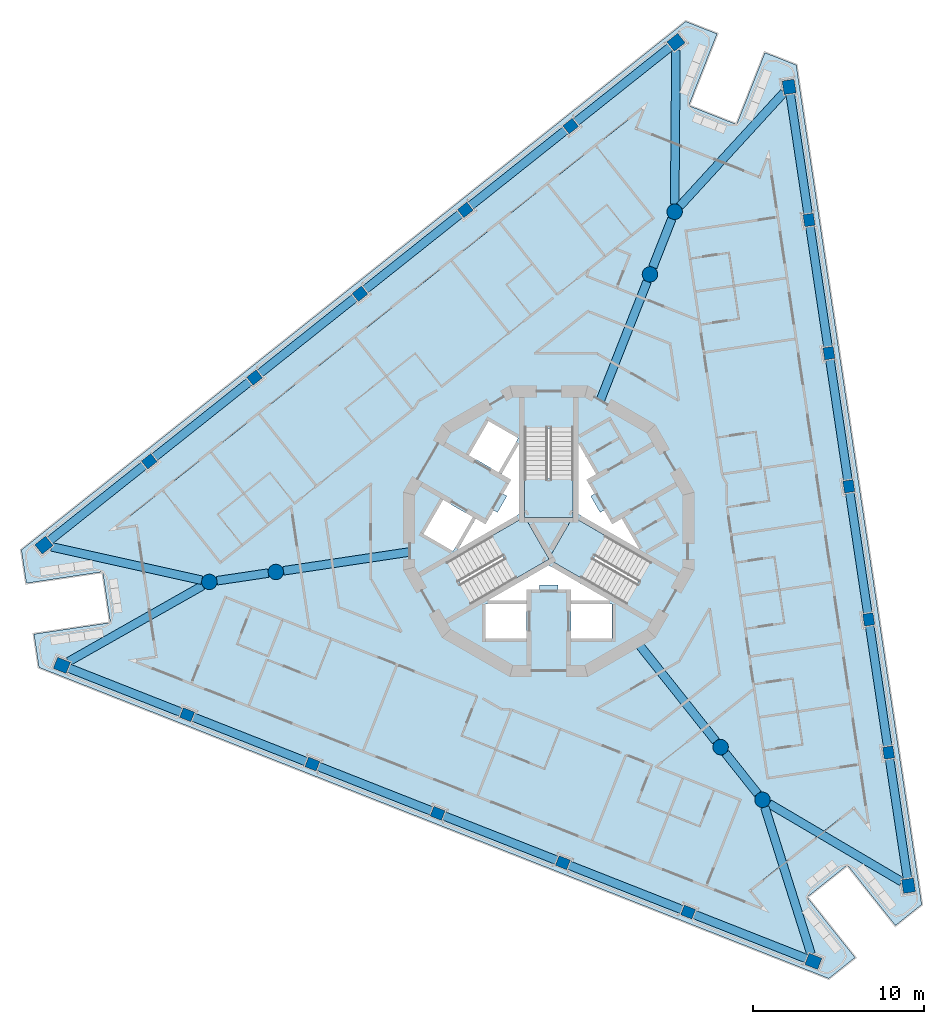
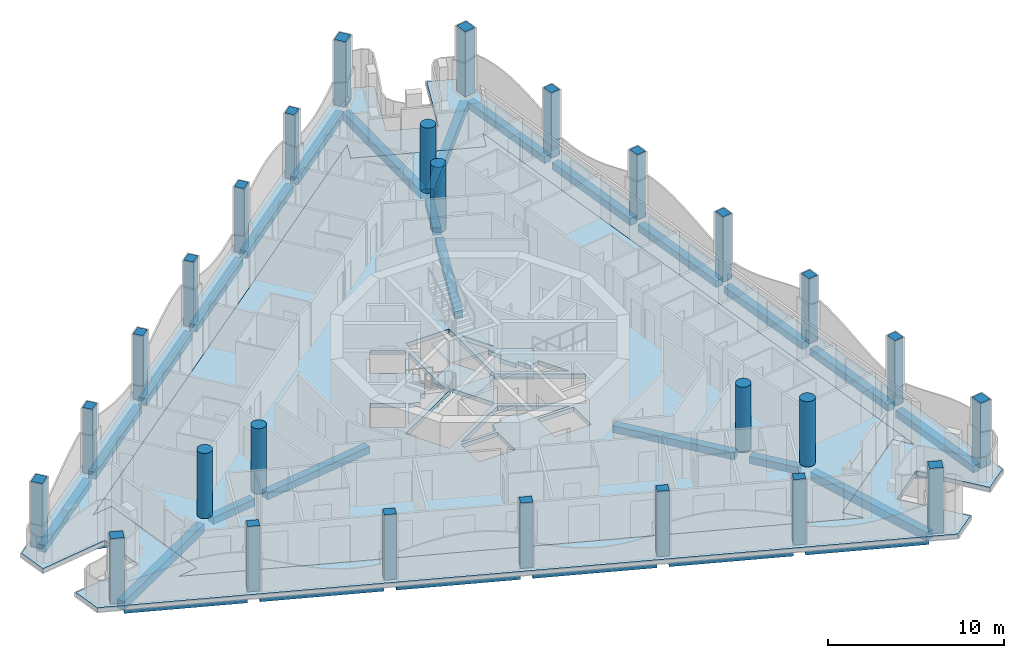
# One storey, part 1 of 16: 30 beams, 27 columns, 6 slabs, 3 elements without a shape of their own.
"""IFC4 building model written with IfcOpenShell, lengths in metres."""

from ifc_helpers import new_model, si_unit, direction, frame, origin, origin_2d, place, context, subcontext, project, spatial, polyline, rectangle, circle, outline, extrude, material, layer, layer_set, material_profile, profile_set, type_object, element, aggregate, save


model = new_model("IFC4")

# Units and contexts
model_context = context("Model", 3, precision=1e-05, world=origin(), true_north=direction((0.0, 1.0)))
body_context = subcontext(model_context, "Body", "Model", "MODEL_VIEW")
ifc_project = project(units=[si_unit("LENGTHUNIT", "METRE"), si_unit("AREAUNIT", "SQUARE_METRE"), si_unit("VOLUMEUNIT", "CUBIC_METRE"), si_unit("PLANEANGLEUNIT", "RADIAN"), si_unit("MASSUNIT", "GRAM", prefix="KILO")], contexts=[model_context])

# Site, building, storey
site_placement = place(None, origin())
site = spatial("IfcSite", under=ifc_project, at=site_placement, CompositionType="ELEMENT")
building_placement = place(site_placement, origin())
building = spatial("IfcBuilding", under=site, at=building_placement, Name="Trine Commons Tower", CompositionType="ELEMENT")
storey_placement = place(building_placement, frame((0.0, 0.0, 226.800048828125)))
storey = spatial("IfcBuildingStorey", under=building, at=storey_placement, Name="L59", CompositionType="ELEMENT", Elevation=226.800048828125)

# Columns
ifc_material_1 = material(Name="Concrete C60/75", Category="concrete")
ifc_material_profile_1 = material_profile(ifc_material_1, rectangle(XDim=0.699951171875, YDim=0.60009765625, at=origin_2d()), Name="RC 700x600")
ifc_profile_set_1 = profile_set([ifc_material_profile_1], Name="Concrete C60/75")
column_type_1 = type_object("IfcColumnType", Name="RC column 700x600, C60/75", PredefinedType="COLUMN", material=ifc_profile_set_1)
for number, where, z_axis, x_axis, name in (
    (1, (88.125, 40.285888671875, 0.0), (0.0, 0.0, 1.0), (-0.930417567982, 0.366501226724, 0.0), "Column PC6-02 L59"),
    (2, (80.82080078125, 43.1630859375, 0.0), (0.0, 0.0, 1.0), (-0.930417567982, 0.366501226724, 0.0), "Column PC6-03 L59"),
    (3, (73.516357421875, 46.04052734375, 0.0), (0.0, 0.0, 1.0), (-0.930417567982, 0.366501226724, 0.0), "Column PC6-04 L59"),
    (4, (66.212158203125, 48.917724609375, 0.0), (0.0, 0.0, 1.0), (-0.930417567982, 0.366501226724, 0.0), "Column PC6-05 L59"),
    (5, (58.90771484375, 51.794921875, 0.0), (0.0, 0.0, 1.0), (-0.930417567982, 0.366501226724, 0.0), "Column PC6-06 L59"),
    (6, (56.699462890625, 66.570556640625, 0.0), (0.0, 0.0, 1.0), (0.782608156852, 0.622514636638, 0.0), "Column PC6-09 L59"),
    (7, (62.843505859375, 71.45751953125, 0.0), (0.0, 0.0, 1.0), (0.782608156852, 0.622514636638, 0.0), "Column PC6-10 L59"),
    (8, (68.9873046875, 76.3447265625, 0.0), (0.0, 0.0, 1.0), (0.782608156852, 0.622514636638, 0.0), "Column PC6-11 L59"),
    (9, (75.13134765625, 81.231689453125, 0.0), (0.0, 0.0, 1.0), (0.782608156852, 0.622514636638, 0.0), "Column PC6-12 L59"),
    (10, (81.275390625, 86.118896484375, 0.0), (0.0, 0.0, 1.0), (0.782608156852, 0.622514636638, 0.0), "Column PC6-13 L59"),
    (11, (95.17529296875, 80.6435546875, 0.0), (0.0, 0.0, 1.0), (-0.14780941113, 0.989015863362, 0.0), "Column PC6-16 L59"),
    (12, (96.335693359375, 72.879150390625, 0.0), (0.0, 0.0, 1.0), (-0.14780941113, 0.989015863362, 0.0), "Column PC6-17 L59"),
    (13, (97.49609375, 65.11474609375, 0.0), (0.0, 0.0, 1.0), (-0.14780941113, 0.989015863362, 0.0), "Column PC6-18 L59"),
    (14, (98.656494140625, 57.350341796875, 0.0), (0.0, 0.0, 1.0), (-0.14780941113, 0.989015863362, 0.0), "Column PC6-19 L59"),
    (15, (99.81689453125, 49.586181640625, 0.0), (0.0, 0.0, 1.0), (-0.14780941113, 0.989015863362, 0.0), "Column PC6-20 L59"),
):
    element("IfcColumn", number, at=place(storey_placement, frame(where, z_axis=z_axis, x_axis=x_axis)), inside=storey, type_object=column_type_1, Name=name, PredefinedType="COLUMN", context=body_context, shape_type="SweptSolid", body=[
        extrude(rectangle(XDim=0.699951171875, YDim=0.60009765625, at=origin_2d()), origin(), (0.0, 0.0, 1.0), 4.53662109375),
    ])
ifc_material_profile_2 = material_profile(ifc_material_1, rectangle(XDim=0.800048828125, YDim=0.699951171875, at=origin_2d()), Name="RC 800x700")
ifc_profile_set_2 = profile_set([ifc_material_profile_2], Name="Concrete C60/75")
column_type_2 = type_object("IfcColumnType", Name="RC column 800x700, C60/75", PredefinedType="COLUMN", material=ifc_profile_set_2)
for number, where, z_axis, x_axis, name in (
    (16, (95.429443359375, 37.40869140625, 0.0), (0.0, 0.0, 1.0), (-0.930417567982, 0.366501226724, 0.0), "Column PC6-01 L59"),
    (17, (51.603515625, 54.67236328125, 0.0), (0.0, 0.0, 1.0), (-0.930417567982, 0.366501226724, 0.0), "Column PC6-07 L59"),
    (18, (50.5556640625, 61.683349609375, 0.0), (0.0, 0.0, 1.0), (0.782608156852, 0.622514636638, 0.0), "Column PC6-08 L59"),
    (19, (87.419189453125, 91.006103515625, 0.0), (0.0, 0.0, 1.0), (0.782608156852, 0.622514636638, 0.0), "Column PC6-14 L59"),
    (20, (94.014892578125, 88.407958984375, 0.0), (0.0, 0.0, 1.0), (-0.14780941113, 0.989015863362, 0.0), "Column PC6-15 L59"),
    (21, (100.977294921875, 41.82177734375, 0.0), (0.0, 0.0, 1.0), (-0.14780941113, 0.989015863362, 0.0), "Column PC6-21 L59"),
):
    element("IfcColumn", number, at=place(storey_placement, frame(where, z_axis=z_axis, x_axis=x_axis)), inside=storey, type_object=column_type_2, Name=name, PredefinedType="COLUMN", context=body_context, shape_type="SweptSolid", body=[
        extrude(rectangle(XDim=0.800048828125, YDim=0.699951171875, at=origin_2d()), origin(), (0.0, 0.0, 1.0), 4.53662109375),
    ])
ifc_material_profile_3 = material_profile(ifc_material_1, circle(Radius=0.449951171875, at=origin_2d()), Name="RC round 900")
ifc_profile_set_3 = profile_set([ifc_material_profile_3], Name="Concrete C60/75")
column_type_3 = type_object("IfcColumnType", Name="RC round column 900 mm, C60/75", PredefinedType="COLUMN", material=ifc_profile_set_3)
for number, where, z_axis, x_axis, name in (
    (22, (90.018798828125, 49.90478515625, 0.0), (0.0, 0.0, 1.0), (1.0, 0.0, 0.0), "Column WC6-1 L59"),
    (23, (92.461669921875, 46.83349609375, 0.0), (0.0, 0.0, 1.0), (1.0, 0.0, 0.0), "Column WC6-2 L59"),
    (24, (85.8984375, 77.47412109375, 0.0), (0.0, 0.0, 1.0), (1.0, 0.0, 0.0), "Column WC6-3 L59"),
    (25, (87.336669921875, 81.125244140625, 0.0), (0.0, 0.0, 1.0), (1.0, 0.0, 0.0), "Column WC6-4 L59"),
    (26, (64.082763671875, 60.12109375, 0.0), (0.0, 0.0, 1.0), (1.0, 0.0, 0.0), "Column WC6-5 L59"),
    (27, (60.20166015625, 59.541015625, 0.0), (0.0, 0.0, 1.0), (1.0, 0.0, 0.0), "Column WC6-6 L59"),
):
    element("IfcColumn", number, at=place(storey_placement, frame(where, z_axis=z_axis, x_axis=x_axis)), inside=storey, type_object=column_type_3, Name=name, PredefinedType="COLUMN", context=body_context, shape_type="SweptSolid", body=[
        extrude(circle(Radius=0.449951171875, at=origin_2d()), origin(), (0.0, 0.0, 1.0), 4.53662109375),
    ])

# Beams
ifc_material_2 = material(Name="Concrete C40/50", Category="concrete")
ifc_material_profile_4 = material_profile(ifc_material_2, rectangle(XDim=0.5, YDim=0.5, at=origin_2d()), Name="RC 500x500")
ifc_profile_set_4 = profile_set([ifc_material_profile_4], Name="Concrete C40/50")
beam_type_1 = type_object("IfcBeamType", Name="RC beam 500x500, C40/50", PredefinedType="BEAM", material=ifc_profile_set_4)
beam_1_placement = place(storey_placement, frame((95.05712890625, 37.555419921875, -0.550048828125), z_axis=(-0.930420117749, 0.366494753699, 0.0), x_axis=(-0.366494753699, -0.930420117749, 0.0)))
element("IfcBeam", 28, at=beam_1_placement, inside=storey, type_object=beam_type_1, Name="Beam EB6-01 L59", PredefinedType="BEAM", context=body_context, shape_type="SweptSolid", body=[
    extrude(rectangle(XDim=0.5, YDim=0.5, at=origin_2d()), origin(), (0.0, 0.0, 1.0), 7.1005859375),
])
for number, where, z_axis, x_axis, name in (
    (29, (87.799560546875, 40.414306640625, -0.550048828125), (-0.93042285796, 0.366487797048, 0.0), (-0.366487797048, -0.93042285796, 0.0), "Beam EB6-02 L59"),
    (30, (80.4951171875, 43.29150390625, -0.550048828125), (-0.93042285796, 0.366487797048, 0.0), (-0.366487797048, -0.93042285796, 0.0), "Beam EB6-03 L59"),
):
    element("IfcBeam", number, at=place(storey_placement, frame(where, z_axis=z_axis, x_axis=x_axis)), inside=storey, type_object=beam_type_1, Name=name, PredefinedType="BEAM", context=body_context, shape_type="SweptSolid", body=[
        extrude(rectangle(XDim=0.5, YDim=0.5, at=origin_2d()), origin(), (0.0, 0.0, 1.0), 7.150634765625),
    ])
beam_2_placement = place(storey_placement, frame((73.19091796875, 46.168701171875, -0.550048828125), z_axis=(-0.930427443561, 0.366476155115, 0.0), x_axis=(-0.366476155115, -0.930427443561, 0.0)))
element("IfcBeam", 31, at=beam_2_placement, inside=storey, type_object=beam_type_1, Name="Beam EB6-04 L59", PredefinedType="BEAM", context=body_context, shape_type="SweptSolid", body=[
    extrude(rectangle(XDim=0.5, YDim=0.5, at=origin_2d()), origin(), (0.0, 0.0, 1.0), 7.15087890625),
])
beam_3_placement = place(storey_placement, frame((65.886474609375, 49.0458984375, -0.550048828125), z_axis=(-0.930411215363, 0.366517353378, 0.0), x_axis=(-0.366517353378, -0.930411215363, 0.0)))
element("IfcBeam", 32, at=beam_3_placement, inside=storey, type_object=beam_type_1, Name="Beam EB6-05 L59", PredefinedType="BEAM", context=body_context, shape_type="SweptSolid", body=[
    extrude(rectangle(XDim=0.5, YDim=0.5, at=origin_2d()), origin(), (0.0, 0.0, 1.0), 7.150634765625),
])
beam_4_placement = place(storey_placement, frame((58.582275390625, 51.92333984375, -0.550048828125), z_axis=(-0.930424735877, 0.366483029441, 0.0), x_axis=(-0.366483029441, -0.930424735877, 0.0)))
element("IfcBeam", 33, at=beam_4_placement, inside=storey, type_object=beam_type_1, Name="Beam EB6-06 L59", PredefinedType="BEAM", context=body_context, shape_type="SweptSolid", body=[
    extrude(rectangle(XDim=0.5, YDim=0.5, at=origin_2d()), origin(), (0.0, 0.0, 1.0), 7.100830078125),
])
beam_5_placement = place(storey_placement, frame((50.86865234375, 61.932373046875, -0.550048828125), z_axis=(0.782606764813, 0.622516386667, 0.0), x_axis=(-0.622516386667, 0.782606764813, 0.0)))
element("IfcBeam", 34, at=beam_5_placement, inside=storey, type_object=beam_type_1, Name="Beam EB6-07 L59", PredefinedType="BEAM", context=body_context, shape_type="SweptSolid", body=[
    extrude(rectangle(XDim=0.5, YDim=0.5, at=origin_2d()), origin(), (0.0, 0.0, 1.0), 7.1005859375),
])
beam_6_placement = place(storey_placement, frame((56.973388671875, 66.788330078125, -0.550048828125), z_axis=(0.78260785881, 0.622515011329, 0.0), x_axis=(-0.622515011329, 0.78260785881, 0.0)))
element("IfcBeam", 35, at=beam_6_placement, inside=storey, type_object=beam_type_1, Name="Beam EB6-08 L59", PredefinedType="BEAM", context=body_context, shape_type="SweptSolid", body=[
    extrude(rectangle(XDim=0.5, YDim=0.5, at=origin_2d()), origin(), (0.0, 0.0, 1.0), 7.150634765625),
])
beam_7_placement = place(storey_placement, frame((63.117431640625, 71.675537109375, -0.550048828125), z_axis=(0.782611261581, 0.622510733439, 0.0), x_axis=(-0.622510733439, 0.782611261581, 0.0)))
element("IfcBeam", 36, at=beam_7_placement, inside=storey, type_object=beam_type_1, Name="Beam EB6-09 L59", PredefinedType="BEAM", context=body_context, shape_type="SweptSolid", body=[
    extrude(rectangle(XDim=0.5, YDim=0.5, at=origin_2d()), origin(), (0.0, 0.0, 1.0), 7.150390625),
])
for number, where, z_axis, x_axis, name in (
    (37, (69.26123046875, 76.5625, -0.550048828125), (0.78260785881, 0.622515011329, 0.0), (-0.622515011329, 0.78260785881, 0.0), "Beam EB6-10 L59"),
    (38, (75.4052734375, 81.44970703125, -0.550048828125), (0.782624492464, 0.622494099407, 0.0), (-0.622494099407, 0.782624492464, 0.0), "Beam EB6-11 L59"),
):
    element("IfcBeam", number, at=place(storey_placement, frame(where, z_axis=z_axis, x_axis=x_axis)), inside=storey, type_object=beam_type_1, Name=name, PredefinedType="BEAM", context=body_context, shape_type="SweptSolid", body=[
        extrude(rectangle(XDim=0.5, YDim=0.5, at=origin_2d()), origin(), (0.0, 0.0, 1.0), 7.150634765625),
    ])
beam_8_placement = place(storey_placement, frame((81.54931640625, 86.3369140625, -0.550048828125), z_axis=(0.782606764813, 0.622516386667, 0.0), x_axis=(-0.622516386667, 0.782606764813, 0.0)))
element("IfcBeam", 39, at=beam_8_placement, inside=storey, type_object=beam_type_1, Name="Beam EB6-12 L59", PredefinedType="BEAM", context=body_context, shape_type="SweptSolid", body=[
    extrude(rectangle(XDim=0.5, YDim=0.5, at=origin_2d()), origin(), (0.0, 0.0, 1.0), 7.1005859375),
])
beam_9_placement = place(storey_placement, frame((94.07421875, 88.01220703125, -0.550048828125), z_axis=(0.147815848306, -0.989014901298, 0.0), x_axis=(0.989014901298, 0.147815848306, 0.0)))
element("IfcBeam", 40, at=beam_9_placement, inside=storey, type_object=beam_type_1, Name="Beam EB6-13 L59", PredefinedType="BEAM", context=body_context, shape_type="SweptSolid", body=[
    extrude(rectangle(XDim=0.5, YDim=0.5, at=origin_2d()), origin(), (0.0, 0.0, 1.0), 7.100341796875),
])
for number, where, z_axis, x_axis, name in (
    (41, (95.22705078125, 80.29736328125, -0.550048828125), (0.147804496566, -0.989016597836, 0.0), (0.989016597836, 0.147804496566, 0.0), "Beam EB6-14 L59"),
    (42, (96.387451171875, 72.532958984375, -0.550048828125), (0.147804496566, -0.989016597836, 0.0), (0.989016597836, 0.147804496566, 0.0), "Beam EB6-15 L59"),
    (43, (97.5478515625, 64.7685546875, -0.550048828125), (0.147804496566, -0.989016597836, 0.0), (0.989016597836, 0.147804496566, 0.0), "Beam EB6-16 L59"),
):
    element("IfcBeam", number, at=place(storey_placement, frame(where, z_axis=z_axis, x_axis=x_axis)), inside=storey, type_object=beam_type_1, Name=name, PredefinedType="BEAM", context=body_context, shape_type="SweptSolid", body=[
        extrude(rectangle(XDim=0.5, YDim=0.5, at=origin_2d()), origin(), (0.0, 0.0, 1.0), 7.150634765625),
    ])
beam_10_placement = place(storey_placement, frame((98.708251953125, 57.004150390625, -0.550048828125), z_axis=(0.147809487776, -0.989015851907, 0.0), x_axis=(0.989015851907, 0.147809487776, 0.0)))
element("IfcBeam", 44, at=beam_10_placement, inside=storey, type_object=beam_type_1, Name="Beam EB6-17 L59", PredefinedType="BEAM", context=body_context, shape_type="SweptSolid", body=[
    extrude(rectangle(XDim=0.5, YDim=0.5, at=origin_2d()), origin(), (0.0, 0.0, 1.0), 7.150390625),
])
beam_11_placement = place(storey_placement, frame((99.86865234375, 49.239990234375, -0.550048828125), z_axis=(0.14781082184, -0.989015652529, 0.0), x_axis=(0.989015652529, 0.14781082184, 0.0)))
element("IfcBeam", 45, at=beam_11_placement, inside=storey, type_object=beam_type_1, Name="Beam EB6-18 L59", PredefinedType="BEAM", context=body_context, shape_type="SweptSolid", body=[
    extrude(rectangle(XDim=0.5, YDim=0.5, at=origin_2d()), origin(), (0.0, 0.0, 1.0), 7.1005859375),
])
beam_12_placement = place(storey_placement, frame((85.101318359375, 56.0869140625, -0.550048828125), z_axis=(0.622498476125, -0.782621011232, 0.0), x_axis=(0.782621011232, 0.622498476125, 0.0)))
element("IfcBeam", 46, at=beam_12_placement, inside=storey, type_object=beam_type_1, Name="Beam RB6-01 L59", PredefinedType="BEAM", context=body_context, shape_type="SweptSolid", body=[
    extrude(rectangle(XDim=0.5, YDim=0.5, at=origin_2d()), origin(), (0.0, 0.0, 1.0), 7.44970703125),
])
beam_13_placement = place(storey_placement, frame((90.298583984375, 49.552734375, -0.550048828125), z_axis=(0.622497726794, -0.782621607251, 0.0), x_axis=(0.782621607251, 0.622497726794, 0.0)))
element("IfcBeam", 47, at=beam_13_placement, inside=storey, type_object=beam_type_1, Name="Beam RB6-02 L59", PredefinedType="BEAM", context=body_context, shape_type="SweptSolid", body=[
    extrude(rectangle(XDim=0.5, YDim=0.5, at=origin_2d()), origin(), (0.0, 0.0, 1.0), 3.02490234375),
])
beam_14_placement = place(storey_placement, frame((83.00341796875, 70.12451171875, -0.550048828125), z_axis=(0.366497867563, 0.930418891184, 0.0), x_axis=(-0.930418891184, 0.366497867563, 0.0)))
element("IfcBeam", 48, at=beam_14_placement, inside=storey, type_object=beam_type_1, Name="Beam RB6-03 L59", PredefinedType="BEAM", context=body_context, shape_type="SweptSolid", body=[
    extrude(rectangle(XDim=0.5, YDim=0.5, at=origin_2d()), origin(), (0.0, 0.0, 1.0), 7.449462890625),
])
beam_15_placement = place(storey_placement, frame((86.063232421875, 77.892578125, -0.550048828125), z_axis=(0.366528753051, 0.930406724603, 0.0), x_axis=(-0.930406724603, 0.366528753051, 0.0)))
element("IfcBeam", 49, at=beam_15_placement, inside=storey, type_object=beam_type_1, Name="Beam RB6-04 L59", PredefinedType="BEAM", context=body_context, shape_type="SweptSolid", body=[
    extrude(rectangle(XDim=0.5, YDim=0.5, at=origin_2d()), origin(), (0.0, 0.0, 1.0), 3.024658203125),
])
beam_16_placement = place(storey_placement, frame((71.8955078125, 61.288818359375, -0.550048828125), z_axis=(-0.989013138411, -0.147827643054, 0.0), x_axis=(0.147827643054, -0.989013138411, 0.0)))
element("IfcBeam", 50, at=beam_16_placement, inside=storey, type_object=beam_type_1, Name="Beam RB6-05 L59", PredefinedType="BEAM", context=body_context, shape_type="SweptSolid", body=[
    extrude(rectangle(XDim=0.5, YDim=0.5, at=origin_2d()), origin(), (0.0, 0.0, 1.0), 7.449951171875),
])
beam_17_placement = place(storey_placement, frame((63.63818359375, 60.0546875, -0.550048828125), z_axis=(-0.989011987503, -0.14783534278, 0.0), x_axis=(0.14783534278, -0.989011987503, 0.0)))
element("IfcBeam", 51, at=beam_17_placement, inside=storey, type_object=beam_type_1, Name="Beam RB6-06 L59", PredefinedType="BEAM", context=body_context, shape_type="SweptSolid", body=[
    extrude(rectangle(XDim=0.5, YDim=0.5, at=origin_2d()), origin(), (0.0, 0.0, 1.0), 3.025390625),
])
ifc_material_profile_5 = material_profile(ifc_material_2, rectangle(XDim=0.5, YDim=0.60009765625, at=origin_2d()), Name="RC 500x600")
ifc_profile_set_5 = profile_set([ifc_material_profile_5], Name="Concrete C40/50")
beam_type_2 = type_object("IfcBeamType", Name="RC beam 500x600, C40/50", PredefinedType="BEAM", material=ifc_profile_set_5)
for number, where, z_axis, x_axis, name in (
    (52, (51.9951171875, 54.89404296875, -0.60009765625), (0.870168672724, 0.492753976148, 0.0), (-0.492753976148, 0.870168672724, 0.0), "Beam CB6-01 L59"),
    (53, (50.9951171875, 61.585693359375, -0.60009765625), (0.976218391118, -0.216789420505, 0.0), (0.216789420505, 0.976218391118, 0.0), "Beam CB6-02 L59"),
):
    element("IfcBeam", number, at=place(storey_placement, frame(where, z_axis=z_axis, x_axis=x_axis)), inside=storey, type_object=beam_type_2, Name=name, PredefinedType="BEAM", context=body_context, shape_type="SweptSolid", body=[
        extrude(rectangle(XDim=0.5, YDim=0.60009765625, at=origin_2d()), origin(), (0.0, 0.0, 1.0), 8.981201171875),
    ])
beam_18_placement = place(storey_placement, frame((87.41552734375, 90.555908203125, -0.60009765625), z_axis=(-0.008345502486, -0.999965175688, 0.0), x_axis=(0.999965175688, -0.008345502486, 0.0)))
element("IfcBeam", 54, at=beam_18_placement, inside=storey, type_object=beam_type_2, Name="Beam CB6-03 L59", PredefinedType="BEAM", context=body_context, shape_type="SweptSolid", body=[
    extrude(rectangle(XDim=0.5, YDim=0.60009765625, at=origin_2d()), origin(), (0.0, 0.0, 1.0), 8.98095703125),
])
beam_19_placement = place(storey_placement, frame((93.710693359375, 88.076171875, -0.60009765625), z_axis=(-0.675864939366, -0.737025497344, 0.0), x_axis=(0.737025497344, -0.675864939366, 0.0)))
element("IfcBeam", 55, at=beam_19_placement, inside=storey, type_object=beam_type_2, Name="Beam CB6-04 L59", PredefinedType="BEAM", context=body_context, shape_type="SweptSolid", body=[
    extrude(rectangle(XDim=0.5, YDim=0.60009765625, at=origin_2d()), origin(), (0.0, 0.0, 1.0), 8.9814453125),
])
for number, where, z_axis, x_axis, name in (
    (56, (100.58935546875, 42.050048828125, -0.60009765625), (-0.861820288966, 0.507213751319, 0.0), (-0.507213751319, -0.861820288966, 0.0), "Beam CB6-05 L59"),
    (57, (95.294189453125, 37.838134765625, -0.60009765625), (-0.300354576277, 0.953827619913, 0.0), (-0.953827619913, -0.300354576277, 0.0), "Beam CB6-06 L59"),
):
    element("IfcBeam", number, at=place(storey_placement, frame(where, z_axis=z_axis, x_axis=x_axis)), inside=storey, type_object=beam_type_2, Name=name, PredefinedType="BEAM", context=body_context, shape_type="SweptSolid", body=[
        extrude(rectangle(XDim=0.5, YDim=0.60009765625, at=origin_2d()), origin(), (0.0, 0.0, 1.0), 8.981201171875),
    ])

# Slabs
ifc_layer_1 = layer(ifc_material_2, 0.300048828125)
ifc_layer_set_1 = layer_set([ifc_layer_1], Name="Concrete C40/50")
slab_type_1 = type_object("IfcSlabType", Name="Loggia slab 300 mm, C40/50", PredefinedType="FLOOR", material=ifc_layer_set_1)
slab_1_placement = place(storey_placement, frame((0.0, 0.0, -0.300048828125)))
element("IfcSlab", 58, at=slab_1_placement, inside=storey, type_object=slab_type_1, Name="Loggia slab L59", PredefinedType="FLOOR", context=body_context, shape_type="SweptSolid", body=[
    extrude(outline(polyline([(101.748046875, 40.7236328125), (94.430908203125, 89.683349609375), (92.603515625, 90.4033203125), (90.954345703125, 86.21630859375), (88.1630859375, 87.31591796875), (89.812255859375, 91.502685546875), (87.98486328125, 92.22265625), (49.242919921875, 61.406005859375), (49.533203125, 59.46337890625), (53.98388671875, 60.12841796875), (54.42724609375, 57.16162109375), (49.976806640625, 56.496337890625), (50.26708984375, 54.5537109375), (96.325927734375, 36.41064453125), (97.86328125, 37.63330078125), (95.061767578125, 41.155029296875), (97.40966796875, 43.022705078125), (100.2109375, 39.5009765625), (101.748046875, 40.7236328125)]), holes=[polyline([(56.002685546875, 62.85693359375), (57.15576171875, 55.142578125), (55.825439453125, 54.94384765625), (92.52685546875, 40.48681640625), (91.689453125, 41.539306640625), (97.7939453125, 46.39501953125), (98.631103515625, 45.34228515625), (92.80078125, 84.355224609375), (92.3076171875, 83.103759765625), (85.050537109375, 85.96240234375), (85.54345703125, 87.2138671875), (54.672607421875, 62.658203125), (56.002685546875, 62.85693359375)])]), origin(), (0.0, 0.0, 1.0), 0.300048828125),
])
ifc_layer_2 = layer(ifc_material_2, 0.300048828125)
ifc_layer_set_2 = layer_set([ifc_layer_2], Name="Concrete C40/50")
slab_type_2 = type_object("IfcSlabType", Name="PT flat slab 300 mm, C40/50", PredefinedType="FLOOR", material=ifc_layer_set_2)
slab_2_placement = place(storey_placement, frame((0.0, 0.0, -0.300048828125)))
element("IfcSlab", 59, at=slab_2_placement, inside=storey, type_object=slab_type_2, Name="Floor slab L59", PredefinedType="FLOOR", context=body_context, shape_type="SweptSolid", body=[
    extrude(outline(polyline([(54.672607421875, 62.658203125), (56.002685546875, 62.85693359375), (57.15576171875, 55.142578125), (55.825439453125, 54.94384765625), (92.52685546875, 40.48681640625), (91.689453125, 41.539306640625), (97.7939453125, 46.39501953125), (98.631103515625, 45.34228515625), (92.80078125, 84.355224609375), (92.3076171875, 83.103759765625), (85.050537109375, 85.96240234375), (85.54345703125, 87.2138671875), (54.672607421875, 62.658203125)]), holes=[polyline([(78.699951171875, 56.25), (78.699951171875, 58.25), (76.300048828125, 58.25), (76.300048828125, 56.25), (78.699951171875, 56.25)]), polyline([(83.699951171875, 56.25), (83.699951171875, 58.25), (81.300048828125, 58.25), (81.300048828125, 56.25), (83.699951171875, 56.25)]), polyline([(81.300048828125, 58.449951171875), (83.56494140625, 58.449951171875), (80.0, 60.508056640625), (76.43505859375, 58.449951171875), (78.699951171875, 58.449951171875), (78.85009765625, 59.10009765625), (79.449951171875, 59.10009765625), (79.449951171875, 59.360107421875), (80.550048828125, 59.360107421875), (80.550048828125, 59.10009765625), (81.14990234375, 59.10009765625), (81.300048828125, 58.449951171875)]), polyline([(81.425048828125, 63.32275390625), (81.425048828125, 68.490478515625), (78.574951171875, 68.490478515625), (78.574951171875, 63.32275390625), (74.099609375, 60.73876953125), (75.5244140625, 58.2705078125), (80.0, 60.8544921875), (84.4755859375, 58.2705078125), (85.900390625, 60.73876953125), (81.425048828125, 63.32275390625)]), polyline([(72.687255859375, 62.333984375), (74.41943359375, 61.333984375), (75.5693359375, 63.325927734375), (73.83740234375, 64.325927734375), (72.687255859375, 62.333984375)]), polyline([(76.381103515625, 63.031005859375), (75.742919921875, 63.22607421875), (74.7099609375, 61.43798828125), (78.27490234375, 63.49609375), (78.27490234375, 67.612060546875), (77.242919921875, 65.823974609375), (77.73095703125, 65.368896484375), (77.3310546875, 64.676025390625), (77.555908203125, 64.5458984375), (77.006103515625, 63.593994140625), (76.781005859375, 63.722900390625), (76.381103515625, 63.031005859375)]), polyline([(82.993896484375, 63.593994140625), (82.444091796875, 64.5458984375), (82.72705078125, 64.7099609375), (82.281005859375, 65.549072265625), (82.757080078125, 65.823974609375), (81.72509765625, 67.612060546875), (81.72509765625, 63.49609375), (85.2900390625, 61.43798828125), (84.257080078125, 63.22607421875), (83.618896484375, 63.031005859375), (83.243896484375, 63.738037109375), (82.993896484375, 63.593994140625)]), polyline([(76.4873046875, 68.916015625), (75.33740234375, 66.924072265625), (77.0693359375, 65.924072265625), (78.219482421875, 67.916015625), (76.4873046875, 68.916015625)])]), origin(), (0.0, 0.0, 1.0), 0.300048828125),
])
slab_3_placement = place(storey_placement, frame((0.0, 0.0, -0.300048828125)))
element("IfcSlab", 60, at=slab_3_placement, inside=storey, type_object=slab_type_2, Name="Floor slab L59 2", PredefinedType="FLOOR", context=body_context, shape_type="SweptSolid", body=[
    extrude(outline(polyline([(81.38671875, 63.300537109375), (78.61328125, 63.300537109375), (80.0, 60.89892578125), (81.38671875, 63.300537109375)])), origin(), (0.0, 0.0, 1.0), 0.300048828125),
])

# Stair, slab
ifc_material_3 = material(Name="Concrete C50/60", Category="concrete")
stair_type = type_object("IfcStairType", Name="Exit stair, dog-leg, 24 risers of 150 mm", PredefinedType="HALF_TURN_STAIR", material=ifc_material_3)
stair_1_placement = place(storey_placement, origin())
stair_1 = element("IfcStair", 61, at=stair_1_placement, inside=storey, type_object=stair_type, Name="L59 Exit stair ST1C", PredefinedType="HALF_TURN_STAIR")
ifc_layer_3 = layer(ifc_material_3, 0.199951171875)
ifc_layer_set_3 = layer_set([ifc_layer_3], Name="Concrete C50/60")
slab_type_3 = type_object("IfcSlabType", Name="Stair landing slab 200 mm, C50/60", PredefinedType="LANDING", material=ifc_layer_set_3)
slab_4_placement = place(storey_placement, frame((0.0, 0.0, 1.599853515625)))
slab_4 = element("IfcSlab", 62, at=slab_4_placement, type_object=slab_type_3, Name="ST1C landing 1", PredefinedType="LANDING", context=body_context, shape_type="SweptSolid", body=[
    extrude(outline(polyline([(78.574951171875, 65.570556640625), (78.574951171875, 63.300537109375), (81.425048828125, 63.300537109375), (81.425048828125, 65.570556640625), (78.574951171875, 65.570556640625)])), origin(), (0.0, 0.0, 1.0), 0.2001953125),
])
aggregate(stair_1, [slab_4])

stair_2_placement = place(storey_placement, origin())
stair_2 = element("IfcStair", 63, at=stair_2_placement, inside=storey, type_object=stair_type, Name="L59 Exit stair ST2C", PredefinedType="HALF_TURN_STAIR")
slab_5_placement = place(storey_placement, frame((0.0, 0.0, 1.599853515625)))
slab_5 = element("IfcSlab", 64, at=slab_5_placement, type_object=slab_type_3, Name="ST2C landing 1", PredefinedType="LANDING", context=body_context, shape_type="SweptSolid", body=[
    extrude(outline(polyline([(78.05322265625, 59.730712890625), (80.019287109375, 60.86572265625), (78.59423828125, 63.333740234375), (76.628173828125, 62.19873046875), (78.05322265625, 59.730712890625)])), origin(), (0.0, 0.0, 1.0), 0.2001953125),
])
aggregate(stair_2, [slab_5])

stair_3_placement = place(storey_placement, origin())
stair_3 = element("IfcStair", 65, at=stair_3_placement, inside=storey, type_object=stair_type, Name="L59 Exit stair ST3C", PredefinedType="HALF_TURN_STAIR")
slab_6_placement = place(storey_placement, frame((0.0, 0.0, 1.599853515625)))
slab_6 = element("IfcSlab", 66, at=slab_6_placement, type_object=slab_type_3, Name="ST3C landing 1", PredefinedType="LANDING", context=body_context, shape_type="SweptSolid", body=[
    extrude(outline(polyline([(83.371826171875, 62.19873046875), (81.40576171875, 63.333740234375), (79.980712890625, 60.86572265625), (81.94677734375, 59.730712890625), (83.371826171875, 62.19873046875)])), origin(), (0.0, 0.0, 1.0), 0.2001953125),
])
aggregate(stair_3, [slab_6])

save(model, "model.ifc")
